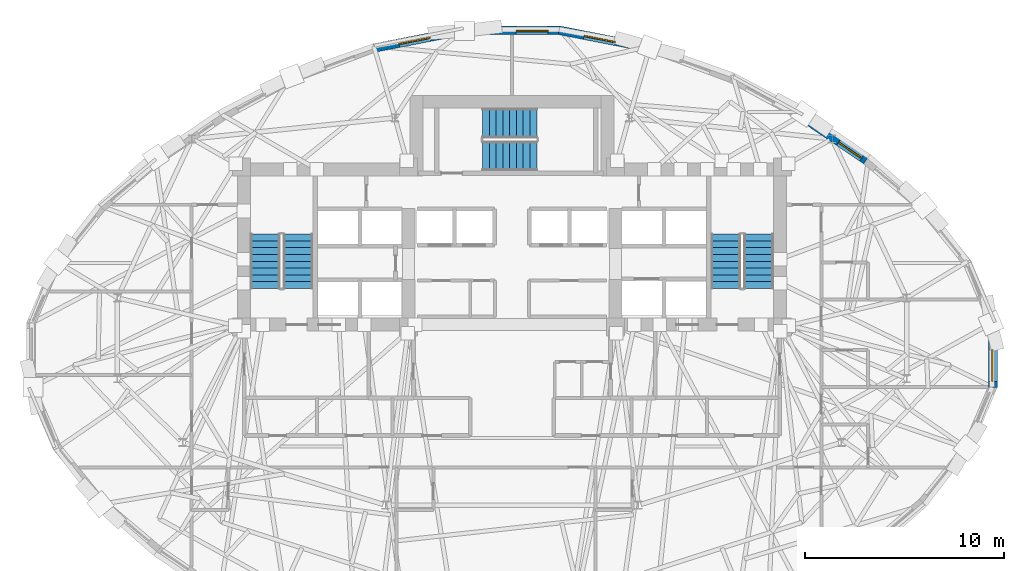
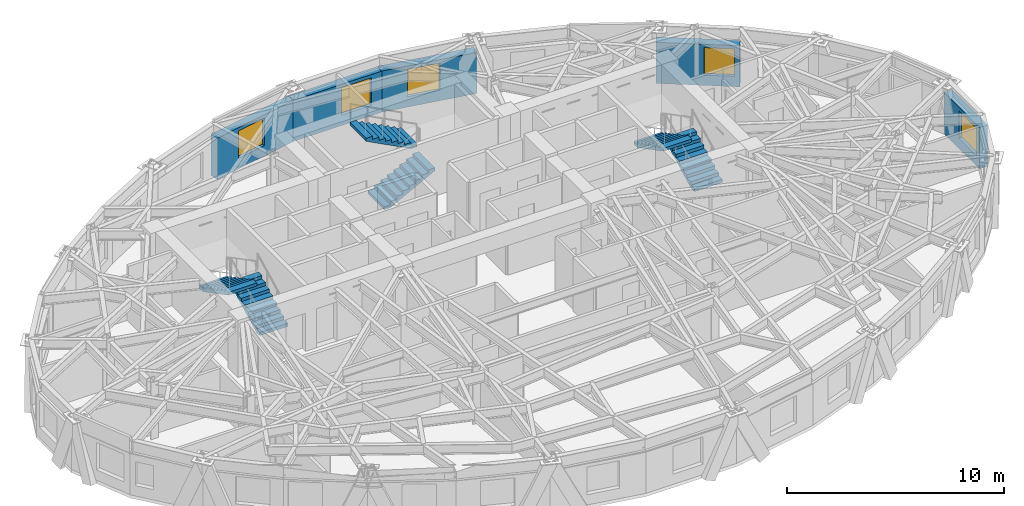
# One storey, part 10 of 14: 6 stair flights, 5 walls, 5 windows, 5 openings, 3 elements without a shape of their own.
"""IFC4 building model written with IfcOpenShell, lengths in metres."""

from ifc_helpers import new_model, si_unit, direction, frame, frame_2d, origin, place, context, subcontext, project, spatial, polyline, rectangle, outline, extrude, material, layer, layer_set, type_object, element, fill, aggregate, save


model = new_model("IFC4")

# Units and contexts
model_context = context("Model", 3, precision=1e-05, world=origin(), true_north=direction((0.0, 1.0)))
body_context = subcontext(model_context, "Body", "Model", "MODEL_VIEW")
ifc_project = project(units=[si_unit("LENGTHUNIT", "METRE"), si_unit("AREAUNIT", "SQUARE_METRE"), si_unit("VOLUMEUNIT", "CUBIC_METRE"), si_unit("PLANEANGLEUNIT", "RADIAN"), si_unit("MASSUNIT", "GRAM", prefix="KILO")], contexts=[model_context])

# Site, building, storey
site_placement = place(None, origin())
site = spatial("IfcSite", under=ifc_project, at=site_placement, CompositionType="ELEMENT")
building_placement = place(site_placement, origin())
building = spatial("IfcBuilding", under=site, at=building_placement, Name="Keldmark Tower", CompositionType="ELEMENT")
storey_placement = place(building_placement, frame((0.0, 0.0, 191.800048828125)))
storey = spatial("IfcBuildingStorey", under=building, at=storey_placement, Name="L53", CompositionType="ELEMENT", Elevation=191.800048828125)

# Wall, opening, window
ifc_material_1 = material(Name="Ironspot Manganese Brick and Kasota Buff Limestone Spandrel Assembly", Category="masonry")
ifc_layer = layer(ifc_material_1, 0.43994140625)
ifc_layer_set = layer_set([ifc_layer], Name="Ironspot Manganese Brick and Kasota Buff Limestone Spandrel Assembly")
wall_type = type_object("IfcWallType", Name="Tower Brick Pier and Spandrel Wall 440 mm", PredefinedType="STANDARD", material=ifc_layer_set)
wall_1_placement = place(storey_placement, frame((14.58349609375, 11.967041015625, 0.0), z_axis=(0.0, 0.0, 1.0), x_axis=(0.827690675663, -0.561184591218, 0.0)))
wall_1 = element("IfcWall", 1, at=wall_1_placement, inside=storey, type_object=wall_type, Name="L53 Exterior Brick and Spandrel Wall 04", PredefinedType="STANDARD", context=body_context, shape_type="SweptSolid", body=[
    extrude(rectangle(XDim=3.88232421875, YDim=0.43994140625, at=frame_2d((1.941162109375, 0.0))), origin(), (0.0, 0.0, 1.0), 2.31494140625),
])
opening_1_placement = place(wall_1_placement, frame((2.23291015625, 0.0, 0.580078125)))
opening_1 = element("IfcOpeningElement", 2, at=opening_1_placement, cuts=wall_1, Name="Opening W-08", PredefinedType="OPENING", context=body_context, shape_type="SweptSolid", body=[
    extrude(rectangle(XDim=1.39990234375, YDim=1.550048828125, at=frame_2d((0.699951171875, 0.77490234375))), frame((0.0, 0.22998046875, 0.0), z_axis=(0.0, -1.0, 0.0), x_axis=(1.0, 0.0, 0.0)), (0.0, 0.0, 1.0), 0.4599609375),
])
ifc_material_2 = material(Name="Thermally Broken Anodized Aluminum and Triple Low-E Argon Glazing", Category="aluminium")
window_type_1 = type_object("IfcWindowType", Name="Residential Corner Punched Window 1400x1550", PartitioningType="SINGLE_PANEL", PredefinedType="WINDOW", material=ifc_material_2)
window_1_placement = place(opening_1_placement, origin())
window_1 = element("IfcWindow", 3, at=window_1_placement, inside=storey, type_object=window_type_1, Name="L53 Deep-Set Window 04", OverallHeight=1.550048828125, OverallWidth=1.39990234375, PartitioningType="SINGLE_PANEL", PredefinedType="WINDOW", context=body_context, shape_type="SweptSolid", body=[
    extrude(rectangle(XDim=1.39990234375, YDim=1.550048828125, at=frame_2d((0.699951171875, 0.77490234375))), frame((0.0, -0.010009765625, 0.0), z_axis=(0.0, -1.0, 0.0), x_axis=(1.0, 0.0, 0.0)), (0.0, 0.0, 1.0), 0.06005859375),
])
fill(opening_1, window_1)

wall_2_placement = place(storey_placement, frame((2.3603515625, 16.32177734375, 0.0), z_axis=(0.0, 0.0, 1.0), x_axis=(0.981406109785, -0.191942823979, 0.0)))
wall_2 = element("IfcWall", 4, at=wall_2_placement, inside=storey, type_object=wall_type, Name="L53 Exterior Brick and Spandrel Wall 07", PredefinedType="STANDARD", context=body_context, shape_type="SweptSolid", body=[
    extrude(rectangle(XDim=4.68212890625, YDim=0.43994140625, at=frame_2d((2.341064453125, 0.0))), origin(), (0.0, 0.0, 1.0), 2.31494140625),
])
opening_2_placement = place(wall_2_placement, frame((1.292724609375, 0.0, 0.580078125)))
opening_2 = element("IfcOpeningElement", 5, at=opening_2_placement, cuts=wall_2, Name="Opening W-04", PredefinedType="OPENING", context=body_context, shape_type="SweptSolid", body=[
    extrude(rectangle(XDim=1.60009765625, YDim=1.550048828125, at=frame_2d((0.800048828125, 0.77490234375))), frame((0.0, 0.22998046875, 0.0), z_axis=(0.0, -1.0, 0.0), x_axis=(1.0, 0.0, 0.0)), (0.0, 0.0, 1.0), 0.4599609375),
])
ifc_material_3 = material(Name="Thermally Broken Anodized Aluminum and Triple Low-E Argon Glazing", Category="aluminium")
window_type_2 = type_object("IfcWindowType", Name="Hotel Deep-Set Operable Window 1600x1550", PartitioningType="DOUBLE_PANEL_HORIZONTAL", PredefinedType="WINDOW", material=ifc_material_3)
window_2_placement = place(opening_2_placement, origin())
window_2 = element("IfcWindow", 6, at=window_2_placement, inside=storey, type_object=window_type_2, Name="L53 Deep-Set Window 07", OverallHeight=1.550048828125, OverallWidth=1.60009765625, PartitioningType="SINGLE_PANEL", PredefinedType="WINDOW", context=body_context, shape_type="SweptSolid", body=[
    extrude(rectangle(XDim=1.60009765625, YDim=1.550048828125, at=frame_2d((0.800048828125, 0.77490234375))), frame((0.0, -0.010009765625, 0.0), z_axis=(0.0, -1.0, 0.0), x_axis=(1.0, 0.0, 0.0)), (0.0, 0.0, 1.0), 0.06005859375),
])
fill(opening_2, window_2)

wall_3_placement = place(storey_placement, frame((-2.402587890625, 16.317626953125, 0.0), z_axis=(0.0, 0.0, 1.0), x_axis=(1.0, 0.0, 0.0)))
wall_3 = element("IfcWall", 7, at=wall_3_placement, inside=storey, type_object=wall_type, Name="L53 Exterior Brick and Spandrel Wall 08", PredefinedType="STANDARD", context=body_context, shape_type="SweptSolid", body=[
    extrude(rectangle(XDim=4.80517578125, YDim=0.43994140625, at=frame_2d((2.402587890625, 0.0))), origin(), (0.0, 0.0, 1.0), 2.31494140625),
])
opening_3_placement = place(wall_3_placement, frame((2.611572265625, 0.0, 0.580078125)))
opening_3 = element("IfcOpeningElement", 8, at=opening_3_placement, cuts=wall_3, Name="Opening W-04", PredefinedType="OPENING", context=body_context, shape_type="SweptSolid", body=[
    extrude(rectangle(XDim=1.60009765625, YDim=1.550048828125, at=frame_2d((0.800048828125, 0.77490234375))), frame((0.0, 0.22998046875, 0.0), z_axis=(0.0, -1.0, 0.0), x_axis=(1.0, 0.0, 0.0)), (0.0, 0.0, 1.0), 0.4599609375),
])
window_3_placement = place(opening_3_placement, origin())
window_3 = element("IfcWindow", 9, at=window_3_placement, inside=storey, type_object=window_type_2, Name="L53 Deep-Set Window 08", OverallHeight=1.550048828125, OverallWidth=1.60009765625, PartitioningType="SINGLE_PANEL", PredefinedType="WINDOW", context=body_context, shape_type="SweptSolid", body=[
    extrude(rectangle(XDim=1.60009765625, YDim=1.550048828125, at=frame_2d((0.800048828125, 0.77490234375))), frame((0.0, -0.010009765625, 0.0), z_axis=(0.0, -1.0, 0.0), x_axis=(1.0, 0.0, 0.0)), (0.0, 0.0, 1.0), 0.06005859375),
])
fill(opening_3, window_3)

wall_4_placement = place(storey_placement, frame((-6.955322265625, 15.423095703125, 0.0), z_axis=(0.0, 0.0, 1.0), x_axis=(0.981406109785, 0.191942823979, 0.0)))
wall_4 = element("IfcWall", 10, at=wall_4_placement, inside=storey, type_object=wall_type, Name="L53 Exterior Brick and Spandrel Wall 09", PredefinedType="STANDARD", context=body_context, shape_type="SweptSolid", body=[
    extrude(rectangle(XDim=4.68212890625, YDim=0.43994140625, at=frame_2d((2.341064453125, 0.0))), origin(), (0.0, 0.0, 1.0), 2.31494140625),
])
opening_4_placement = place(wall_4_placement, frame((1.292724609375, 0.0, 0.580078125)))
opening_4 = element("IfcOpeningElement", 11, at=opening_4_placement, cuts=wall_4, Name="Opening W-04", PredefinedType="OPENING", context=body_context, shape_type="SweptSolid", body=[
    extrude(rectangle(XDim=1.60009765625, YDim=1.550048828125, at=frame_2d((0.800048828125, 0.77490234375))), frame((0.0, 0.22998046875, 0.0), z_axis=(0.0, -1.0, 0.0), x_axis=(1.0, 0.0, 0.0)), (0.0, 0.0, 1.0), 0.4599609375),
])
window_4_placement = place(opening_4_placement, origin())
window_4 = element("IfcWindow", 12, at=window_4_placement, inside=storey, type_object=window_type_2, Name="L53 Deep-Set Window 09", OverallHeight=1.550048828125, OverallWidth=1.60009765625, PartitioningType="SINGLE_PANEL", PredefinedType="WINDOW", context=body_context, shape_type="SweptSolid", body=[
    extrude(rectangle(XDim=1.60009765625, YDim=1.550048828125, at=frame_2d((0.800048828125, 0.77490234375))), frame((0.0, -0.010009765625, 0.0), z_axis=(0.0, -1.0, 0.0), x_axis=(1.0, 0.0, 0.0)), (0.0, 0.0, 1.0), 0.06005859375),
])
fill(opening_4, window_4)

wall_5_placement = place(storey_placement, frame((24.173583984375, 1.62890625, 0.0), z_axis=(0.0, 0.0, 1.0), x_axis=(0.0, -1.0, 0.0)))
wall_5 = element("IfcWall", 13, at=wall_5_placement, inside=storey, type_object=wall_type, Name="L53 Exterior Brick and Spandrel Wall 32", PredefinedType="STANDARD", context=body_context, shape_type="SweptSolid", body=[
    extrude(rectangle(XDim=3.2578125, YDim=0.43994140625, at=frame_2d((1.62890625, 0.0))), origin(), (0.0, 0.0, 1.0), 2.31494140625),
])
opening_5_placement = place(wall_5_placement, frame((1.36083984375, 0.0, 0.580078125)))
opening_5 = element("IfcOpeningElement", 14, at=opening_5_placement, cuts=wall_5, Name="Opening W-04", PredefinedType="OPENING", context=body_context, shape_type="SweptSolid", body=[
    extrude(rectangle(XDim=1.60009765625, YDim=1.550048828125, at=frame_2d((0.800048828125, 0.77490234375))), frame((0.0, 0.22998046875, 0.0), z_axis=(0.0, -1.0, 0.0), x_axis=(1.0, 0.0, 0.0)), (0.0, 0.0, 1.0), 0.4599609375),
])
window_5_placement = place(opening_5_placement, origin())
window_5 = element("IfcWindow", 15, at=window_5_placement, inside=storey, type_object=window_type_2, Name="L53 Deep-Set Window 32", OverallHeight=1.550048828125, OverallWidth=1.60009765625, PartitioningType="SINGLE_PANEL", PredefinedType="WINDOW", context=body_context, shape_type="SweptSolid", body=[
    extrude(rectangle(XDim=1.60009765625, YDim=1.550048828125, at=frame_2d((0.800048828125, 0.77490234375))), frame((0.0, -0.010009765625, 0.0), z_axis=(0.0, -1.0, 0.0), x_axis=(1.0, 0.0, 0.0)), (0.0, 0.0, 1.0), 0.06005859375),
])
fill(opening_5, window_5)

# Stair, stair flights
ifc_material_4 = material(Name="Concrete C40/50", Category="concrete")
stair_type = type_object("IfcStairType", Name="Precast Concrete Core Exit Stair", PredefinedType="HALF_TURN_STAIR", material=ifc_material_4)
stair_1_placement = place(storey_placement, origin())
stair_1 = element("IfcStair", 16, at=stair_1_placement, inside=storey, type_object=stair_type, Name="L53 Exit Stair ST1", PredefinedType="HALF_TURN_STAIR")
ifc_material_5 = material(Name="Concrete C40/50", Category="concrete")
stair_flight_type = type_object("IfcStairFlightType", Name="Precast Concrete Stair Flight 1500 mm", PredefinedType="STRAIGHT", material=ifc_material_5)
stair_flight_1_placement = place(storey_placement, frame((-10.75, 3.35009765625, 0.0), z_axis=(0.0, 0.0, 1.0), x_axis=(0.0, 1.0, 0.0)))
stair_flight_1 = element("IfcStairFlight", 17, at=stair_flight_1_placement, type_object=stair_flight_type, Name="ST1 flight 1", NumberOfRisers=9, NumberOfTreads=8, PredefinedType="STRAIGHT", RiserHeight=0.177777778, TreadLength=0.34, context=body_context, shape_type="SweptSolid", body=[
    extrude(outline(polyline([(0.0, 0.0), (0.0, 0.177734375), (0.340087890625, 0.177734375), (0.340087890625, 0.35546875), (0.679931640625, 0.35546875), (0.679931640625, 0.533447265625), (1.02001953125, 0.533447265625), (1.02001953125, 0.711181640625), (1.360107421875, 0.711181640625), (1.360107421875, 0.888916015625), (1.699951171875, 0.888916015625), (1.699951171875, 1.066650390625), (2.0400390625, 1.066650390625), (2.0400390625, 1.244384765625), (2.3798828125, 1.244384765625), (2.3798828125, 1.422119140625), (2.719970703125, 1.422119140625), (2.719970703125, 1.60009765625), (2.719970703125, 1.253173828125), (0.323486328125, 0.0), (0.0, 0.0)])), frame((0.0, 0.75, 0.0), z_axis=(0.0, -1.0, 0.0), x_axis=(1.0, 0.0, 0.0)), (0.0, 0.0, 1.0), 1.5),
])
stair_flight_2_placement = place(storey_placement, frame((-12.39990234375, 6.070068359375, 1.599853515625), z_axis=(0.0, 0.0, 1.0), x_axis=(0.0, -1.0, 0.0)))
stair_flight_2 = element("IfcStairFlight", 18, at=stair_flight_2_placement, type_object=stair_flight_type, Name="ST1 flight 2", NumberOfRisers=9, NumberOfTreads=8, PredefinedType="STRAIGHT", RiserHeight=0.177777778, TreadLength=0.34, context=body_context, shape_type="SweptSolid", body=[
    extrude(outline(polyline([(0.0, 0.0), (0.0, 0.177734375), (0.340087890625, 0.177734375), (0.340087890625, 0.35546875), (0.679931640625, 0.35546875), (0.679931640625, 0.533447265625), (1.02001953125, 0.533447265625), (1.02001953125, 0.711181640625), (1.360107421875, 0.711181640625), (1.360107421875, 0.888916015625), (1.699951171875, 0.888916015625), (1.699951171875, 1.066650390625), (2.0400390625, 1.066650390625), (2.0400390625, 1.244384765625), (2.3798828125, 1.244384765625), (2.3798828125, 1.422119140625), (2.719970703125, 1.422119140625), (2.719970703125, 1.60009765625), (2.719970703125, 1.253173828125), (0.323486328125, 0.0), (0.0, 0.0)])), frame((0.0, 0.75, 0.0), z_axis=(0.0, -1.0, 0.0), x_axis=(1.0, 0.0, 0.0)), (0.0, 0.0, 1.0), 1.5),
])
aggregate(stair_1, [stair_flight_1, stair_flight_2])

stair_2_placement = place(storey_placement, origin())
stair_2 = element("IfcStair", 19, at=stair_2_placement, inside=storey, type_object=stair_type, Name="L53 Exit Stair ST2", PredefinedType="HALF_TURN_STAIR")
stair_flight_3_placement = place(storey_placement, frame((12.39990234375, 3.35009765625, 0.0), z_axis=(0.0, 0.0, 1.0), x_axis=(0.0, 1.0, 0.0)))
stair_flight_3 = element("IfcStairFlight", 20, at=stair_flight_3_placement, type_object=stair_flight_type, Name="ST2 flight 1", NumberOfRisers=9, NumberOfTreads=8, PredefinedType="STRAIGHT", RiserHeight=0.177777778, TreadLength=0.34, context=body_context, shape_type="SweptSolid", body=[
    extrude(outline(polyline([(0.0, 0.0), (0.0, 0.177734375), (0.340087890625, 0.177734375), (0.340087890625, 0.35546875), (0.679931640625, 0.35546875), (0.679931640625, 0.533447265625), (1.02001953125, 0.533447265625), (1.02001953125, 0.711181640625), (1.360107421875, 0.711181640625), (1.360107421875, 0.888916015625), (1.699951171875, 0.888916015625), (1.699951171875, 1.066650390625), (2.0400390625, 1.066650390625), (2.0400390625, 1.244384765625), (2.3798828125, 1.244384765625), (2.3798828125, 1.422119140625), (2.719970703125, 1.422119140625), (2.719970703125, 1.60009765625), (2.719970703125, 1.253173828125), (0.323486328125, 0.0), (0.0, 0.0)])), frame((0.0, 0.75, 0.0), z_axis=(0.0, -1.0, 0.0), x_axis=(1.0, 0.0, 0.0)), (0.0, 0.0, 1.0), 1.5),
])
stair_flight_4_placement = place(storey_placement, frame((10.75, 6.070068359375, 1.599853515625), z_axis=(0.0, 0.0, 1.0), x_axis=(0.0, -1.0, 0.0)))
stair_flight_4 = element("IfcStairFlight", 21, at=stair_flight_4_placement, type_object=stair_flight_type, Name="ST2 flight 2", NumberOfRisers=9, NumberOfTreads=8, PredefinedType="STRAIGHT", RiserHeight=0.177777778, TreadLength=0.34, context=body_context, shape_type="SweptSolid", body=[
    extrude(outline(polyline([(0.0, 0.0), (0.0, 0.177734375), (0.340087890625, 0.177734375), (0.340087890625, 0.35546875), (0.679931640625, 0.35546875), (0.679931640625, 0.533447265625), (1.02001953125, 0.533447265625), (1.02001953125, 0.711181640625), (1.360107421875, 0.711181640625), (1.360107421875, 0.888916015625), (1.699951171875, 0.888916015625), (1.699951171875, 1.066650390625), (2.0400390625, 1.066650390625), (2.0400390625, 1.244384765625), (2.3798828125, 1.244384765625), (2.3798828125, 1.422119140625), (2.719970703125, 1.422119140625), (2.719970703125, 1.60009765625), (2.719970703125, 1.253173828125), (0.323486328125, 0.0), (0.0, 0.0)])), frame((0.0, 0.75, 0.0), z_axis=(0.0, -1.0, 0.0), x_axis=(1.0, 0.0, 0.0)), (0.0, 0.0, 1.0), 1.5),
])
aggregate(stair_2, [stair_flight_3, stair_flight_4])

stair_3_placement = place(storey_placement, origin())
stair_3 = element("IfcStair", 22, at=stair_3_placement, inside=storey, type_object=stair_type, Name="L53 Exit Stair ST3", PredefinedType="HALF_TURN_STAIR")
stair_flight_5_placement = place(storey_placement, frame((-1.47509765625, 10.0, 0.0), z_axis=(0.0, 0.0, 1.0), x_axis=(1.0, 0.0, 0.0)))
stair_flight_5 = element("IfcStairFlight", 23, at=stair_flight_5_placement, type_object=stair_flight_type, Name="ST3 flight 1", NumberOfRisers=9, NumberOfTreads=8, PredefinedType="STRAIGHT", RiserHeight=0.177777778, TreadLength=0.34, context=body_context, shape_type="SweptSolid", body=[
    extrude(outline(polyline([(0.0, 0.0), (0.0, 0.177734375), (0.340087890625, 0.177734375), (0.340087890625, 0.35546875), (0.679931640625, 0.35546875), (0.679931640625, 0.533447265625), (1.02001953125, 0.533447265625), (1.02001953125, 0.711181640625), (1.360107421875, 0.711181640625), (1.360107421875, 0.888916015625), (1.699951171875, 0.888916015625), (1.699951171875, 1.066650390625), (2.0400390625, 1.066650390625), (2.0400390625, 1.244384765625), (2.3798828125, 1.244384765625), (2.3798828125, 1.422119140625), (2.719970703125, 1.422119140625), (2.719970703125, 1.60009765625), (2.719970703125, 1.253173828125), (0.323486328125, 0.0), (0.0, 0.0)])), frame((0.0, 0.75, 0.0), z_axis=(0.0, -1.0, 0.0), x_axis=(1.0, 0.0, 0.0)), (0.0, 0.0, 1.0), 1.5),
])
stair_flight_6_placement = place(storey_placement, frame((1.2451171875, 11.64990234375, 1.599853515625), z_axis=(0.0, 0.0, 1.0), x_axis=(-1.0, 0.0, 0.0)))
stair_flight_6 = element("IfcStairFlight", 24, at=stair_flight_6_placement, type_object=stair_flight_type, Name="ST3 flight 2", NumberOfRisers=9, NumberOfTreads=8, PredefinedType="STRAIGHT", RiserHeight=0.177777778, TreadLength=0.34, context=body_context, shape_type="SweptSolid", body=[
    extrude(outline(polyline([(0.0, 0.0), (0.0, 0.177734375), (0.340087890625, 0.177734375), (0.340087890625, 0.35546875), (0.679931640625, 0.35546875), (0.679931640625, 0.533447265625), (1.02001953125, 0.533447265625), (1.02001953125, 0.711181640625), (1.360107421875, 0.711181640625), (1.360107421875, 0.888916015625), (1.699951171875, 0.888916015625), (1.699951171875, 1.066650390625), (2.0400390625, 1.066650390625), (2.0400390625, 1.244384765625), (2.3798828125, 1.244384765625), (2.3798828125, 1.422119140625), (2.719970703125, 1.422119140625), (2.719970703125, 1.60009765625), (2.719970703125, 1.253173828125), (0.323486328125, 0.0), (0.0, 0.0)])), frame((0.0, 0.75, 0.0), z_axis=(0.0, -1.0, 0.0), x_axis=(1.0, 0.0, 0.0)), (0.0, 0.0, 1.0), 1.5),
])
aggregate(stair_3, [stair_flight_5, stair_flight_6])

save(model, "model.ifc")
